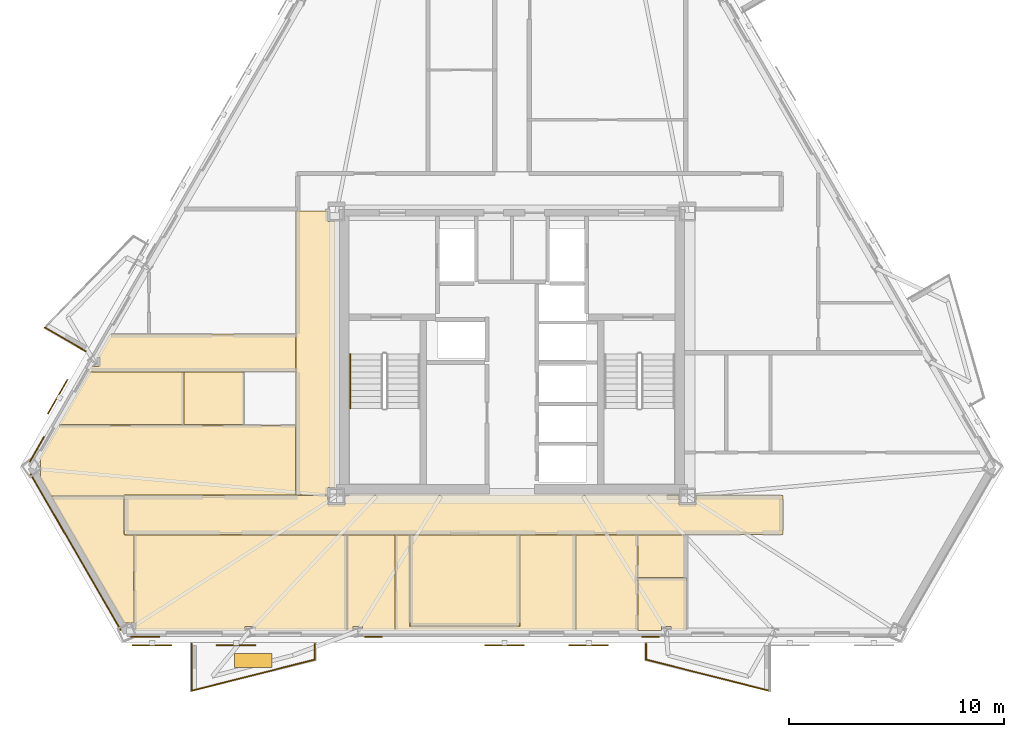
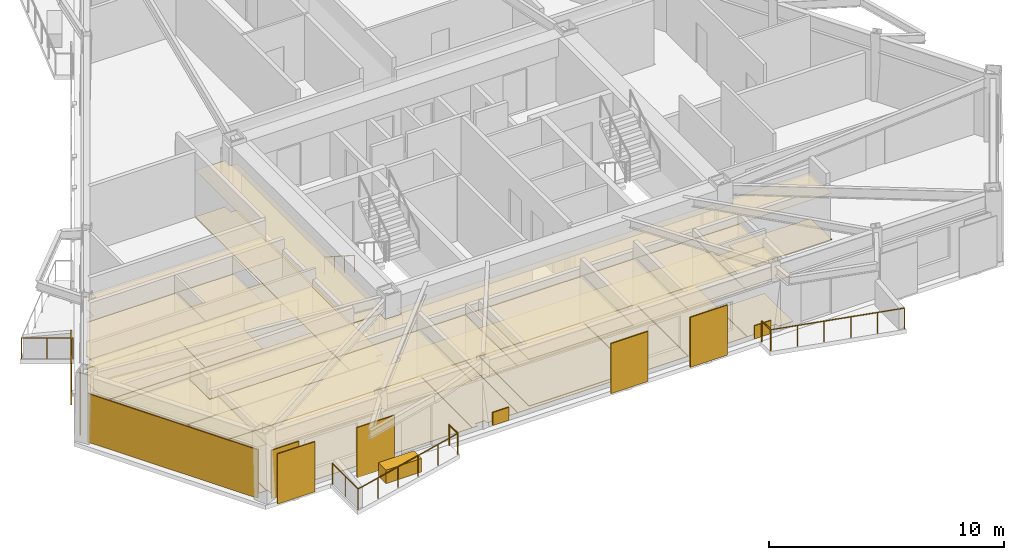
# One storey, part 7 of 9: 33 coverings, 7 railings, 5 shading devices.
"""IFC4 building model written with IfcOpenShell, lengths in metres."""

from ifc_helpers import new_model, si_unit, direction, frame, origin, origin_2d, place, context, subcontext, project, spatial, polyline, rectangle, circle, outline, extrude, material, layer, layer_set, type_object, element, save


model = new_model("IFC4")

# Units and contexts
model_context = context("Model", 3, precision=1e-05, world=origin(), true_north=direction((0.0, 1.0)))
body_context = subcontext(model_context, "Body", "Model", "MODEL_VIEW")
ifc_project = project(units=[si_unit("LENGTHUNIT", "METRE"), si_unit("AREAUNIT", "SQUARE_METRE"), si_unit("VOLUMEUNIT", "CUBIC_METRE"), si_unit("PLANEANGLEUNIT", "RADIAN"), si_unit("MASSUNIT", "GRAM", prefix="KILO")], contexts=[model_context])

# Site, building, storey
site_placement = place(None, origin())
site = spatial("IfcSite", under=ifc_project, at=site_placement, CompositionType="ELEMENT")
building_placement = place(site_placement, origin())
building = spatial("IfcBuilding", under=site, at=building_placement, Name="Oramaril Tower", CompositionType="ELEMENT")
storey_placement = place(building_placement, frame((0.0, 0.0, 163.800048828125)))
storey = spatial("IfcBuildingStorey", under=building, at=storey_placement, Name="L43", CompositionType="ELEMENT", Elevation=163.800048828125)

# Coverings
ifc_material_1 = material(Name="Mineral Fibre Acoustic Ceiling")
ifc_layer_1 = layer(ifc_material_1, 0.02001953125)
ifc_layer_set_1 = layer_set([ifc_layer_1], Name="CVT-CEIL")
covering_type_1 = type_object("IfcCoveringType", Name="CVT-CEIL", PredefinedType="CEILING", material=ifc_layer_set_1)
covering_1_placement = place(storey_placement, frame((0.0, 0.0, 2.411865234375)))
element("IfcCovering", 1, at=covering_1_placement, inside=storey, type_object=covering_type_1, Name="L43 Acoustic Suspended Ceiling 1", PredefinedType="CEILING", context=body_context, shape_type="SweptSolid", body=[
    extrude(outline(polyline([(28.955078125, 10.60498046875), (29.7451171875, 10.60498046875), (29.7451171875, 11.030029296875), (45.2548828125, 11.030029296875), (45.2548828125, 10.60498046875), (46.044921875, 10.60498046875), (46.044921875, 11.030029296875), (50.080078125, 11.030029296875), (50.080078125, 9.219970703125), (19.52001953125, 9.219970703125), (19.52001953125, 11.030029296875), (28.955078125, 11.030029296875), (28.955078125, 10.60498046875)])), origin(), (0.0, 0.0, 1.0), 0.02001953125),
])
covering_2_placement = place(storey_placement, frame((0.0, 0.0, 2.411865234375)))
element("IfcCovering", 2, at=covering_2_placement, inside=storey, type_object=covering_type_1, Name="L43 Acoustic Suspended Ceiling 3", PredefinedType="CEILING", context=body_context, shape_type="SweptSolid", body=[
    extrude(outline(polyline([(28.955078125, 23.7548828125), (29.280029296875, 23.7548828125), (29.280029296875, 11.39501953125), (28.955078125, 11.39501953125), (28.955078125, 11.050048828125), (27.469970703125, 11.050048828125), (27.469970703125, 24.219970703125), (28.955078125, 24.219970703125), (28.955078125, 23.7548828125)])), origin(), (0.0, 0.0, 1.0), 0.02001953125),
])
covering_3_placement = place(storey_placement, frame((0.0, 0.0, 2.411865234375)))
element("IfcCovering", 3, at=covering_3_placement, inside=storey, type_object=covering_type_1, Name="L43 Acoustic Suspended Ceiling 5", PredefinedType="CEILING", context=body_context, shape_type="SweptSolid", body=[
    extrude(outline(polyline([(17.831787109375, 16.77001953125), (17.976318359375, 17.020263671875), (18.327880859375, 17.020263671875), (18.327880859375, 17.515380859375), (18.262451171875, 17.515380859375), (18.84814453125, 18.530029296875), (27.449951171875, 18.530029296875), (27.449951171875, 16.77001953125), (17.831787109375, 16.77001953125)])), origin(), (0.0, 0.0, 1.0), 0.02001953125),
])
covering_4_placement = place(storey_placement, frame((0.0, 0.0, 2.411865234375)))
element("IfcCovering", 4, at=covering_4_placement, inside=storey, type_object=covering_type_1, Name="L43 Acoustic Suspended Ceiling 6", PredefinedType="CEILING", context=body_context, shape_type="SweptSolid", body=[
    extrude(outline(polyline([(32.758056640625, 4.9580078125), (32.758056640625, 9.199951171875), (37.842041015625, 9.199951171875), (37.842041015625, 4.9580078125), (32.758056640625, 4.9580078125)])), origin(), (0.0, 0.0, 1.0), 0.02001953125),
])
covering_5_placement = place(storey_placement, frame((0.0, 0.0, 2.411865234375)))
element("IfcCovering", 5, at=covering_5_placement, inside=storey, type_object=covering_type_1, Name="L43 Acoustic Suspended Ceiling 7", PredefinedType="CEILING", context=body_context, shape_type="SweptSolid", body=[
    extrude(outline(polyline([(25.568603515625, 4.9560546875), (25.107666015625, 4.9560546875), (25.107666015625, 4.77001953125), (20.0009765625, 4.77001953125), (20.0009765625, 5.106689453125), (19.947265625, 5.106689453125), (19.947265625, 9.199951171875), (29.842041015625, 9.199951171875), (29.842041015625, 4.77001953125), (25.568603515625, 4.77001953125), (25.568603515625, 4.9560546875)])), origin(), (0.0, 0.0, 1.0), 0.02001953125),
])
covering_6_placement = place(storey_placement, frame((0.0, 0.0, 2.411865234375)))
element("IfcCovering", 6, at=covering_6_placement, inside=storey, type_object=covering_type_1, Name="L43 Acoustic Suspended Ceiling 8", PredefinedType="CEILING", context=body_context, shape_type="SweptSolid", body=[
    extrude(outline(polyline([(19.4990234375, 5.106689453125), (16.10107421875, 10.991943359375), (19.5, 10.991943359375), (19.5, 9.219970703125), (19.5, 9.218017578125), (19.50048828125, 9.216064453125), (19.5009765625, 9.214111328125), (19.50146484375, 9.21240234375), (19.50244140625, 9.210693359375), (19.50341796875, 9.208984375), (19.50439453125, 9.207275390625), (19.505859375, 9.205810546875), (19.50732421875, 9.20458984375), (19.5087890625, 9.203369140625), (19.510498046875, 9.202392578125), (19.51220703125, 9.201416015625), (19.51416015625, 9.200927734375), (19.51611328125, 9.200439453125), (19.51806640625, 9.2001953125), (19.52001953125, 9.199951171875), (19.92724609375, 9.199951171875), (19.92724609375, 5.106689453125), (19.4990234375, 5.106689453125)])), origin(), (0.0, 0.0, 1.0), 0.02001953125),
])
covering_7_placement = place(storey_placement, frame((0.0, 0.0, 2.411865234375)))
element("IfcCovering", 7, at=covering_7_placement, inside=storey, type_object=covering_type_1, Name="L43 Acoustic Suspended Ceiling 9", PredefinedType="CEILING", context=body_context, shape_type="SweptSolid", body=[
    extrude(outline(polyline([(40.44189453125, 4.77001953125), (32.090087890625, 4.77001953125), (32.090087890625, 9.199951171875), (32.738037109375, 9.199951171875), (32.738037109375, 4.9580078125), (32.738037109375, 4.9560546875), (32.73828125, 4.9541015625), (32.739013671875, 4.9521484375), (32.739501953125, 4.9501953125), (32.740478515625, 4.948486328125), (32.741455078125, 4.947021484375), (32.742431640625, 4.9453125), (32.743896484375, 4.94384765625), (32.745361328125, 4.9423828125), (32.746826171875, 4.94140625), (32.74853515625, 4.9404296875), (32.750244140625, 4.939453125), (32.752197265625, 4.93896484375), (32.754150390625, 4.9384765625), (32.756103515625, 4.93798828125), (32.758056640625, 4.93798828125), (37.842041015625, 4.93798828125), (37.843994140625, 4.93798828125), (37.845947265625, 4.9384765625), (37.847900390625, 4.93896484375), (37.849609375, 4.939453125), (37.851318359375, 4.9404296875), (37.85302734375, 4.94140625), (37.854736328125, 4.9423828125), (37.856201171875, 4.94384765625), (37.857421875, 4.9453125), (37.858642578125, 4.947021484375), (37.859619140625, 4.948486328125), (37.860595703125, 4.9501953125), (37.861083984375, 4.9521484375), (37.861572265625, 4.9541015625), (37.86181640625, 4.9560546875), (37.862060546875, 4.9580078125), (37.862060546875, 9.199951171875), (40.44189453125, 9.199951171875), (40.44189453125, 4.77001953125)])), origin(), (0.0, 0.0, 1.0), 0.02001953125),
])
covering_8_placement = place(storey_placement, frame((0.0, 0.0, 2.411865234375)))
element("IfcCovering", 8, at=covering_8_placement, inside=storey, type_object=covering_type_1, Name="L43 Acoustic Suspended Ceiling 10", PredefinedType="CEILING", context=body_context, shape_type="SweptSolid", body=[
    extrude(outline(polyline([(30.572021484375, 4.77001953125), (30.572021484375, 4.9560546875), (30.1201171875, 4.9560546875), (30.1201171875, 4.77001953125), (29.862060546875, 4.77001953125), (29.862060546875, 9.199951171875), (32.070068359375, 9.199951171875), (32.070068359375, 4.77001953125), (30.572021484375, 4.77001953125)])), origin(), (0.0, 0.0, 1.0), 0.02001953125),
])
covering_9_placement = place(storey_placement, frame((0.0, 0.0, 2.411865234375)))
element("IfcCovering", 9, at=covering_9_placement, inside=storey, type_object=covering_type_1, Name="L43 Acoustic Suspended Ceiling 11", PredefinedType="CEILING", context=body_context, shape_type="SweptSolid", body=[
    extrude(outline(polyline([(43.33154296875, 4.77001953125), (40.4619140625, 4.77001953125), (40.4619140625, 9.199951171875), (43.33154296875, 9.199951171875), (43.33154296875, 4.77001953125)])), origin(), (0.0, 0.0, 1.0), 0.02001953125),
])
covering_10_placement = place(storey_placement, frame((0.0, 0.0, 2.411865234375)))
element("IfcCovering", 10, at=covering_10_placement, inside=storey, type_object=covering_type_1, Name="L43 Acoustic Suspended Ceiling 12", PredefinedType="CEILING", context=body_context, shape_type="SweptSolid", body=[
    extrude(outline(polyline([(44.8798828125, 4.9560546875), (44.427978515625, 4.9560546875), (44.427978515625, 4.77001953125), (43.3515625, 4.77001953125), (43.3515625, 7.18896484375), (45.60205078125, 7.18896484375), (45.60205078125, 4.77001953125), (44.8798828125, 4.77001953125), (44.8798828125, 4.9560546875)])), origin(), (0.0, 0.0, 1.0), 0.02001953125),
])
covering_11_placement = place(storey_placement, frame((0.0, 0.0, 2.411865234375)))
element("IfcCovering", 11, at=covering_11_placement, inside=storey, type_object=covering_type_1, Name="L43 Acoustic Suspended Ceiling 13", PredefinedType="CEILING", context=body_context, shape_type="SweptSolid", body=[
    extrude(outline(polyline([(45.60205078125, 7.208984375), (43.3515625, 7.208984375), (43.3515625, 9.199951171875), (45.60205078125, 9.199951171875), (45.60205078125, 7.208984375)])), origin(), (0.0, 0.0, 1.0), 0.02001953125),
])
covering_12_placement = place(storey_placement, frame((0.0, 0.0, 2.411865234375)))
element("IfcCovering", 12, at=covering_12_placement, inside=storey, type_object=covering_type_1, Name="L43 Acoustic Suspended Ceiling 14", PredefinedType="CEILING", context=body_context, shape_type="SweptSolid", body=[
    extrude(outline(polyline([(15.57177734375, 11.90869140625), (15.6142578125, 11.90869140625), (15.6142578125, 12.714111328125), (15.5341796875, 12.714111328125), (16.447509765625, 14.2958984375), (27.449951171875, 14.2958984375), (27.449951171875, 11.050048828125), (19.52001953125, 11.050048828125), (19.51806640625, 11.0498046875), (19.51611328125, 11.049560546875), (19.51416015625, 11.049072265625), (19.51220703125, 11.048583984375), (19.510498046875, 11.047607421875), (19.5087890625, 11.046630859375), (19.50732421875, 11.04541015625), (19.505859375, 11.044189453125), (19.50439453125, 11.042724609375), (19.50341796875, 11.041015625), (19.50244140625, 11.039306640625), (19.50146484375, 11.03759765625), (19.5009765625, 11.035888671875), (19.50048828125, 11.033935546875), (19.5, 11.031982421875), (19.5, 11.030029296875), (19.5, 11.011962890625), (16.10107421875, 11.011962890625), (16.09912109375, 11.011962890625), (16.09716796875, 11.01171875), (16.09521484375, 11.010986328125), (16.09326171875, 11.010498046875), (16.091552734375, 11.009521484375), (16.091064453125, 11.00927734375), (15.57177734375, 11.90869140625)])), origin(), (0.0, 0.0, 1.0), 0.02001953125),
])
covering_13_placement = place(storey_placement, frame((0.0, 0.0, 2.411865234375)))
element("IfcCovering", 13, at=covering_13_placement, inside=storey, type_object=covering_type_1, Name="L43 Acoustic Suspended Ceiling 15", PredefinedType="CEILING", context=body_context, shape_type="SweptSolid", body=[
    extrude(outline(polyline([(17.8642578125, 16.75), (22.247314453125, 16.75), (22.247314453125, 14.31591796875), (16.458984375, 14.31591796875), (17.8642578125, 16.75)])), origin(), (0.0, 0.0, 1.0), 0.02001953125),
])
covering_14_placement = place(storey_placement, frame((0.0, 0.0, 2.411865234375)))
element("IfcCovering", 14, at=covering_14_placement, inside=storey, type_object=covering_type_1, Name="L43 Acoustic Suspended Ceiling 16", PredefinedType="CEILING", context=body_context, shape_type="SweptSolid", body=[
    extrude(outline(polyline([(25.072021484375, 14.31591796875), (22.267333984375, 14.31591796875), (22.267333984375, 16.75), (25.072021484375, 16.75), (25.072021484375, 14.31591796875)])), origin(), (0.0, 0.0, 1.0), 0.02001953125),
])
ifc_material_2 = material(Name="Warm Cream Limestone", Category="masonry")
ifc_layer_2 = layer(ifc_material_2, 0.050048828125)
ifc_layer_set_2 = layer_set([ifc_layer_2], Name="CVT-CLD")
covering_type_2 = type_object("IfcCoveringType", Name="CVT-CLD", PredefinedType="CLADDING", material=ifc_layer_set_2)
covering_15_placement = place(storey_placement, frame((17.246337890625, 8.406494140625, 0.0400390625), z_axis=(0.0, 0.0, 1.0), x_axis=(0.5, -0.866025403784, 0.0)))
element("IfcCovering", 15, at=covering_15_placement, inside=storey, type_object=covering_type_2, Name="L43 Warm Cream Limestone Cladding", PredefinedType="CLADDING", context=body_context, shape_type="SweptSolid", body=[
    extrude(rectangle(XDim=8.370361328125, YDim=0.050048828125, at=origin_2d()), origin(), (0.0, 0.0, 1.0), 2.52001953125),
])
covering_16_placement = place(storey_placement, frame((20.48095703125, 4.468994140625, 0.0400390625), z_axis=(0.0, 0.0, 1.0), x_axis=(1.0, 0.0, 0.0)))
element("IfcCovering", 16, at=covering_16_placement, inside=storey, type_object=covering_type_2, Name="L43 Warm Cream Limestone Cladding", PredefinedType="CLADDING", context=body_context, shape_type="SweptSolid", body=[
    extrude(rectangle(XDim=1.35009765625, YDim=0.050048828125, at=origin_2d()), origin(), (0.0, 0.0, 1.0), 2.52001953125),
])
for number, where, z_axis, x_axis, name in (
    (17, (31.067138671875, 4.468994140625, 0.0400390625), (0.0, 0.0, 1.0), (1.0, 0.0, 0.0), "L43 Warm Cream Limestone Spandrel Cladding"),
    (18, (43.932861328125, 4.468994140625, 0.0400390625), (0.0, 0.0, 1.0), (1.0, 0.0, 0.0), "L43 Warm Cream Limestone Spandrel Cladding"),
):
    element("IfcCovering", number, at=place(storey_placement, frame(where, z_axis=z_axis, x_axis=x_axis)), inside=storey, type_object=covering_type_2, Name=name, PredefinedType="CLADDING", context=body_context, shape_type="SweptSolid", body=[
        extrude(rectangle(XDim=0.800048828125, YDim=0.050048828125, at=origin_2d()), origin(), (0.0, 0.0, 1.0), 0.679931640625),
    ])
covering_17_placement = place(storey_placement, frame((15.45361328125, 13.176513671875, 0.0400390625), z_axis=(0.0, 0.0, 1.0), x_axis=(-0.5, -0.866025403784, 0.0)))
element("IfcCovering", 19, at=covering_17_placement, inside=storey, type_object=covering_type_2, Name="L43 Warm Cream Limestone Cladding", PredefinedType="CLADDING", context=body_context, shape_type="SweptSolid", body=[
    extrude(rectangle(XDim=1.35009765625, YDim=0.050048828125, at=origin_2d()), origin(), (0.0, 0.0, 1.0), 2.52001953125),
])
covering_18_placement = place(storey_placement, frame((25.490478515625, 3.365478515625, 0.0), z_axis=(0.0, 0.0, 1.0), x_axis=(1.0, 0.0, 0.0)))
element("IfcCovering", 20, at=covering_18_placement, inside=storey, type_object=covering_type_2, Name="L43 Structural Tree Planter Box L43-BAL-S1", PredefinedType="CLADDING", context=body_context, shape_type="SweptSolid", body=[
    extrude(rectangle(XDim=1.75, YDim=0.64990234375, at=origin_2d()), origin(), (0.0, 0.0, 1.0), 0.699951171875),
])
ifc_material_3 = material(Name="Honed Quartzite Stone Flooring", Category="masonry")
ifc_layer_3 = layer(ifc_material_3, 0.02490234375)
ifc_layer_set_3 = layer_set([ifc_layer_3], Name="CVT-FLR")
covering_type_3 = type_object("IfcCoveringType", Name="CVT-FLR", PredefinedType="FLOORING", material=ifc_layer_set_3)
covering_19_placement = place(storey_placement, origin())
element("IfcCovering", 21, at=covering_19_placement, inside=storey, type_object=covering_type_3, Name="L43 Honed Stone Floor Finish 1", PredefinedType="FLOORING", context=body_context, shape_type="SweptSolid", body=[
    extrude(outline(polyline([(28.955078125, 10.60498046875), (29.7451171875, 10.60498046875), (29.7451171875, 11.030029296875), (45.2548828125, 11.030029296875), (45.2548828125, 10.60498046875), (46.044921875, 10.60498046875), (46.044921875, 11.030029296875), (50.080078125, 11.030029296875), (50.080078125, 9.219970703125), (19.52001953125, 9.219970703125), (19.52001953125, 11.030029296875), (28.955078125, 11.030029296875), (28.955078125, 10.60498046875)])), origin(), (0.0, 0.0, 1.0), 0.02490234375),
])
covering_20_placement = place(storey_placement, origin())
element("IfcCovering", 22, at=covering_20_placement, inside=storey, type_object=covering_type_3, Name="L43 Honed Stone Floor Finish 3", PredefinedType="FLOORING", context=body_context, shape_type="SweptSolid", body=[
    extrude(outline(polyline([(28.955078125, 23.7548828125), (29.280029296875, 23.7548828125), (29.280029296875, 11.39501953125), (28.955078125, 11.39501953125), (28.955078125, 11.050048828125), (27.469970703125, 11.050048828125), (27.469970703125, 24.219970703125), (28.955078125, 24.219970703125), (28.955078125, 23.7548828125)])), origin(), (0.0, 0.0, 1.0), 0.02490234375),
])
covering_21_placement = place(storey_placement, origin())
element("IfcCovering", 23, at=covering_21_placement, inside=storey, type_object=covering_type_3, Name="L43 Honed Stone Floor Finish 5", PredefinedType="FLOORING", context=body_context, shape_type="SweptSolid", body=[
    extrude(outline(polyline([(17.831787109375, 16.77001953125), (17.976318359375, 17.020263671875), (18.327880859375, 17.020263671875), (18.327880859375, 17.515380859375), (18.262451171875, 17.515380859375), (18.84814453125, 18.530029296875), (27.449951171875, 18.530029296875), (27.449951171875, 16.77001953125), (17.831787109375, 16.77001953125)])), origin(), (0.0, 0.0, 1.0), 0.02490234375),
])
covering_22_placement = place(storey_placement, origin())
element("IfcCovering", 24, at=covering_22_placement, inside=storey, type_object=covering_type_3, Name="L43 Honed Stone Floor Finish 6", PredefinedType="FLOORING", context=body_context, shape_type="SweptSolid", body=[
    extrude(outline(polyline([(32.758056640625, 4.9580078125), (32.758056640625, 9.199951171875), (37.842041015625, 9.199951171875), (37.842041015625, 4.9580078125), (32.758056640625, 4.9580078125)])), origin(), (0.0, 0.0, 1.0), 0.02490234375),
])
covering_23_placement = place(storey_placement, origin())
element("IfcCovering", 25, at=covering_23_placement, inside=storey, type_object=covering_type_3, Name="L43 Honed Stone Floor Finish 7", PredefinedType="FLOORING", context=body_context, shape_type="SweptSolid", body=[
    extrude(outline(polyline([(25.568603515625, 4.9560546875), (25.107666015625, 4.9560546875), (25.107666015625, 4.77001953125), (20.0009765625, 4.77001953125), (20.0009765625, 5.106689453125), (19.947265625, 5.106689453125), (19.947265625, 9.199951171875), (29.842041015625, 9.199951171875), (29.842041015625, 4.77001953125), (25.568603515625, 4.77001953125), (25.568603515625, 4.9560546875)])), origin(), (0.0, 0.0, 1.0), 0.02490234375),
])
covering_24_placement = place(storey_placement, origin())
element("IfcCovering", 26, at=covering_24_placement, inside=storey, type_object=covering_type_3, Name="L43 Honed Stone Floor Finish 8", PredefinedType="FLOORING", context=body_context, shape_type="SweptSolid", body=[
    extrude(outline(polyline([(19.4990234375, 5.106689453125), (16.10107421875, 10.991943359375), (19.5, 10.991943359375), (19.5, 9.219970703125), (19.5, 9.218017578125), (19.50048828125, 9.216064453125), (19.5009765625, 9.214111328125), (19.50146484375, 9.21240234375), (19.50244140625, 9.210693359375), (19.50341796875, 9.208984375), (19.50439453125, 9.207275390625), (19.505859375, 9.205810546875), (19.50732421875, 9.20458984375), (19.5087890625, 9.203369140625), (19.510498046875, 9.202392578125), (19.51220703125, 9.201416015625), (19.51416015625, 9.200927734375), (19.51611328125, 9.200439453125), (19.51806640625, 9.2001953125), (19.52001953125, 9.199951171875), (19.92724609375, 9.199951171875), (19.92724609375, 5.106689453125), (19.4990234375, 5.106689453125)])), origin(), (0.0, 0.0, 1.0), 0.02490234375),
])
covering_25_placement = place(storey_placement, origin())
element("IfcCovering", 27, at=covering_25_placement, inside=storey, type_object=covering_type_3, Name="L43 Honed Stone Floor Finish 9", PredefinedType="FLOORING", context=body_context, shape_type="SweptSolid", body=[
    extrude(outline(polyline([(40.44189453125, 4.77001953125), (32.090087890625, 4.77001953125), (32.090087890625, 9.199951171875), (32.738037109375, 9.199951171875), (32.738037109375, 4.9580078125), (32.738037109375, 4.9560546875), (32.73828125, 4.9541015625), (32.739013671875, 4.9521484375), (32.739501953125, 4.9501953125), (32.740478515625, 4.948486328125), (32.741455078125, 4.947021484375), (32.742431640625, 4.9453125), (32.743896484375, 4.94384765625), (32.745361328125, 4.9423828125), (32.746826171875, 4.94140625), (32.74853515625, 4.9404296875), (32.750244140625, 4.939453125), (32.752197265625, 4.93896484375), (32.754150390625, 4.9384765625), (32.756103515625, 4.93798828125), (32.758056640625, 4.93798828125), (37.842041015625, 4.93798828125), (37.843994140625, 4.93798828125), (37.845947265625, 4.9384765625), (37.847900390625, 4.93896484375), (37.849609375, 4.939453125), (37.851318359375, 4.9404296875), (37.85302734375, 4.94140625), (37.854736328125, 4.9423828125), (37.856201171875, 4.94384765625), (37.857421875, 4.9453125), (37.858642578125, 4.947021484375), (37.859619140625, 4.948486328125), (37.860595703125, 4.9501953125), (37.861083984375, 4.9521484375), (37.861572265625, 4.9541015625), (37.86181640625, 4.9560546875), (37.862060546875, 4.9580078125), (37.862060546875, 9.199951171875), (40.44189453125, 9.199951171875), (40.44189453125, 4.77001953125)])), origin(), (0.0, 0.0, 1.0), 0.02490234375),
])
covering_26_placement = place(storey_placement, origin())
element("IfcCovering", 28, at=covering_26_placement, inside=storey, type_object=covering_type_3, Name="L43 Honed Stone Floor Finish 10", PredefinedType="FLOORING", context=body_context, shape_type="SweptSolid", body=[
    extrude(outline(polyline([(30.572021484375, 4.77001953125), (30.572021484375, 4.9560546875), (30.1201171875, 4.9560546875), (30.1201171875, 4.77001953125), (29.862060546875, 4.77001953125), (29.862060546875, 9.199951171875), (32.070068359375, 9.199951171875), (32.070068359375, 4.77001953125), (30.572021484375, 4.77001953125)])), origin(), (0.0, 0.0, 1.0), 0.02490234375),
])
covering_27_placement = place(storey_placement, origin())
element("IfcCovering", 29, at=covering_27_placement, inside=storey, type_object=covering_type_3, Name="L43 Honed Stone Floor Finish 11", PredefinedType="FLOORING", context=body_context, shape_type="SweptSolid", body=[
    extrude(outline(polyline([(43.33154296875, 4.77001953125), (40.4619140625, 4.77001953125), (40.4619140625, 9.199951171875), (43.33154296875, 9.199951171875), (43.33154296875, 4.77001953125)])), origin(), (0.0, 0.0, 1.0), 0.02490234375),
])
covering_28_placement = place(storey_placement, origin())
element("IfcCovering", 30, at=covering_28_placement, inside=storey, type_object=covering_type_3, Name="L43 Honed Stone Floor Finish 12", PredefinedType="FLOORING", context=body_context, shape_type="SweptSolid", body=[
    extrude(outline(polyline([(44.8798828125, 4.9560546875), (44.427978515625, 4.9560546875), (44.427978515625, 4.77001953125), (43.3515625, 4.77001953125), (43.3515625, 7.18896484375), (45.60205078125, 7.18896484375), (45.60205078125, 4.77001953125), (44.8798828125, 4.77001953125), (44.8798828125, 4.9560546875)])), origin(), (0.0, 0.0, 1.0), 0.02490234375),
])
covering_29_placement = place(storey_placement, origin())
element("IfcCovering", 31, at=covering_29_placement, inside=storey, type_object=covering_type_3, Name="L43 Honed Stone Floor Finish 14", PredefinedType="FLOORING", context=body_context, shape_type="SweptSolid", body=[
    extrude(outline(polyline([(15.57177734375, 11.90869140625), (15.6142578125, 11.90869140625), (15.6142578125, 12.714111328125), (15.5341796875, 12.714111328125), (16.447509765625, 14.2958984375), (27.449951171875, 14.2958984375), (27.449951171875, 11.050048828125), (19.52001953125, 11.050048828125), (19.51806640625, 11.0498046875), (19.51611328125, 11.049560546875), (19.51416015625, 11.049072265625), (19.51220703125, 11.048583984375), (19.510498046875, 11.047607421875), (19.5087890625, 11.046630859375), (19.50732421875, 11.04541015625), (19.505859375, 11.044189453125), (19.50439453125, 11.042724609375), (19.50341796875, 11.041015625), (19.50244140625, 11.039306640625), (19.50146484375, 11.03759765625), (19.5009765625, 11.035888671875), (19.50048828125, 11.033935546875), (19.5, 11.031982421875), (19.5, 11.030029296875), (19.5, 11.011962890625), (16.10107421875, 11.011962890625), (16.09912109375, 11.011962890625), (16.09716796875, 11.01171875), (16.09521484375, 11.010986328125), (16.09326171875, 11.010498046875), (16.091552734375, 11.009521484375), (16.091064453125, 11.00927734375), (15.57177734375, 11.90869140625)])), origin(), (0.0, 0.0, 1.0), 0.02490234375),
])
covering_30_placement = place(storey_placement, origin())
element("IfcCovering", 32, at=covering_30_placement, inside=storey, type_object=covering_type_3, Name="L43 Honed Stone Floor Finish 15", PredefinedType="FLOORING", context=body_context, shape_type="SweptSolid", body=[
    extrude(outline(polyline([(17.8642578125, 16.75), (22.247314453125, 16.75), (22.247314453125, 14.31591796875), (16.458984375, 14.31591796875), (17.8642578125, 16.75)])), origin(), (0.0, 0.0, 1.0), 0.02490234375),
])
covering_31_placement = place(storey_placement, origin())
element("IfcCovering", 33, at=covering_31_placement, inside=storey, type_object=covering_type_3, Name="L43 Honed Stone Floor Finish 16", PredefinedType="FLOORING", context=body_context, shape_type="SweptSolid", body=[
    extrude(outline(polyline([(25.072021484375, 14.31591796875), (22.267333984375, 14.31591796875), (22.267333984375, 16.75), (25.072021484375, 16.75), (25.072021484375, 14.31591796875)])), origin(), (0.0, 0.0, 1.0), 0.02490234375),
])

# Railings
ifc_material_4 = material(Name="Stainless Steel 316L", Category="steel")
railing_type_1 = type_object("IfcRailingType", Name="RLT-GRD", PredefinedType="GUARDRAIL", material=ifc_material_4)
railing_1_placement = place(storey_placement, frame((28.35546875, 4.154052734375, 0.0)))
element("IfcRailing", 34, at=railing_1_placement, inside=storey, type_object=railing_type_1, Name="L43 Balcony Guardrail L43-BAL-S1.1", PredefinedType="GUARDRAIL", context=body_context, shape_type="SweptSolid", body=[
    extrude(circle(Radius=0.02392578125, at=origin_2d()), frame((0.0, 0.0, 1.076171875), z_axis=(0.0, -1.0, 0.0), x_axis=(1.0, 0.0, 0.0)), (0.0, 0.0, 1.0), 0.741943359375),
    extrude(circle(Radius=0.02099609375, at=origin_2d()), origin(), (0.0, 0.0, 1.0), 1.052001953125),
    extrude(circle(Radius=0.02099609375, at=origin_2d()), frame((0.0, -0.741943359375, 0.0)), (0.0, 0.0, 1.0), 1.052001953125),
])
railing_2_placement = place(storey_placement, frame((28.35546875, 3.412109375, 0.0)))
element("IfcRailing", 35, at=railing_2_placement, inside=storey, type_object=railing_type_1, Name="L43 Balcony Guardrail L43-BAL-S1.2", PredefinedType="GUARDRAIL", context=body_context, shape_type="SweptSolid", body=[
    extrude(circle(Radius=0.02392578125, at=origin_2d()), frame((0.0, 0.0, 1.076171875), z_axis=(-0.969433787338, -0.245353076131, 0.0), x_axis=(0.245353076131, -0.969433787338, 0.0)), (0.0, 0.0, 1.0), 5.91064453125),
    extrude(circle(Radius=0.02099609375, at=origin_2d()), origin(), (0.0, 0.0, 1.0), 1.052001953125),
    extrude(circle(Radius=0.02099609375, at=origin_2d()), frame((-1.14599609375, -0.2900390625, 0.0)), (0.0, 0.0, 1.0), 1.052001953125),
    extrude(circle(Radius=0.02099609375, at=origin_2d()), frame((-2.2919921875, -0.580078125, 0.0)), (0.0, 0.0, 1.0), 1.052001953125),
    extrude(circle(Radius=0.02099609375, at=origin_2d()), frame((-3.43798828125, -0.8701171875, 0.0)), (0.0, 0.0, 1.0), 1.052001953125),
    extrude(circle(Radius=0.02099609375, at=origin_2d()), frame((-4.583984375, -1.16015625, 0.0)), (0.0, 0.0, 1.0), 1.052001953125),
    extrude(circle(Radius=0.02099609375, at=origin_2d()), frame((-5.72998046875, -1.4501953125, 0.0)), (0.0, 0.0, 1.0), 1.052001953125),
])
railing_3_placement = place(storey_placement, frame((22.62548828125, 1.9619140625, 0.0)))
element("IfcRailing", 36, at=railing_3_placement, inside=storey, type_object=railing_type_1, Name="L43 Balcony Guardrail L43-BAL-S1.3", PredefinedType="GUARDRAIL", context=body_context, shape_type="SweptSolid", body=[
    extrude(circle(Radius=0.02392578125, at=origin_2d()), frame((0.0, 0.0, 1.076171875), z_axis=(0.0, 1.0, 0.0), x_axis=(-1.0, 0.0, 0.0)), (0.0, 0.0, 1.0), 2.192138671875),
    extrude(circle(Radius=0.02099609375, at=origin_2d()), origin(), (0.0, 0.0, 1.0), 1.052001953125),
    extrude(circle(Radius=0.02099609375, at=origin_2d()), frame((0.0, 1.09619140625, 0.0)), (0.0, 0.0, 1.0), 1.052001953125),
    extrude(circle(Radius=0.02099609375, at=origin_2d()), frame((0.0, 2.192138671875, 0.0)), (0.0, 0.0, 1.0), 1.052001953125),
])
railing_4_placement = place(storey_placement, frame((49.44970703125, 1.9619140625, 0.0)))
element("IfcRailing", 37, at=railing_4_placement, inside=storey, type_object=railing_type_1, Name="L43 Balcony Guardrail L43-BAL-S2.2", PredefinedType="GUARDRAIL", context=body_context, shape_type="SweptSolid", body=[
    extrude(circle(Radius=0.02392578125, at=origin_2d()), frame((0.0, 0.0, 1.076171875), z_axis=(-0.969436273687, 0.245343251915, 0.0), x_axis=(-0.245343251915, -0.969436273687, 0.0)), (0.0, 0.0, 1.0), 5.910888671875),
    extrude(circle(Radius=0.02099609375, at=origin_2d()), origin(), (0.0, 0.0, 1.0), 1.052001953125),
    extrude(circle(Radius=0.02099609375, at=origin_2d()), frame((-1.14599609375, 0.2900390625, 0.0)), (0.0, 0.0, 1.0), 1.052001953125),
    extrude(circle(Radius=0.02099609375, at=origin_2d()), frame((-2.2919921875, 0.580078125, 0.0)), (0.0, 0.0, 1.0), 1.052001953125),
    extrude(circle(Radius=0.02099609375, at=origin_2d()), frame((-3.438232421875, 0.8701171875, 0.0)), (0.0, 0.0, 1.0), 1.052001953125),
    extrude(circle(Radius=0.02099609375, at=origin_2d()), frame((-4.584228515625, 1.16015625, 0.0)), (0.0, 0.0, 1.0), 1.052001953125),
    extrude(circle(Radius=0.02099609375, at=origin_2d()), frame((-5.730224609375, 1.4501953125, 0.0)), (0.0, 0.0, 1.0), 1.052001953125),
])
railing_5_placement = place(storey_placement, frame((43.719482421875, 3.412109375, 0.0)))
element("IfcRailing", 38, at=railing_5_placement, inside=storey, type_object=railing_type_1, Name="L43 Balcony Guardrail L43-BAL-S2.3", PredefinedType="GUARDRAIL", context=body_context, shape_type="SweptSolid", body=[
    extrude(circle(Radius=0.02392578125, at=origin_2d()), frame((0.0, 0.0, 1.076171875), z_axis=(0.0, 1.0, 0.0), x_axis=(-1.0, 0.0, 0.0)), (0.0, 0.0, 1.0), 0.741943359375),
    extrude(circle(Radius=0.02099609375, at=origin_2d()), origin(), (0.0, 0.0, 1.0), 1.052001953125),
    extrude(circle(Radius=0.02099609375, at=origin_2d()), frame((0.0, 0.741943359375, 0.0)), (0.0, 0.0, 1.0), 1.052001953125),
])
railing_6_placement = place(storey_placement, frame((17.715576171875, 17.724365234375, 0.0)))
element("IfcRailing", 39, at=railing_6_placement, inside=storey, type_object=railing_type_1, Name="L43 Balcony Guardrail L43-BAL-NW2.1", PredefinedType="GUARDRAIL", context=body_context, shape_type="SweptSolid", body=[
    extrude(circle(Radius=0.02392578125, at=origin_2d()), frame((0.0, 0.0, 1.076171875), z_axis=(-0.866048343933, 0.499960264392, 0.0), x_axis=(-0.499960264392, -0.866048343933, 0.0)), (0.0, 0.0, 1.0), 2.192138671875),
    extrude(circle(Radius=0.02099609375, at=origin_2d()), origin(), (0.0, 0.0, 1.0), 1.052001953125),
    extrude(circle(Radius=0.02099609375, at=origin_2d()), frame((-0.94921875, 0.5478515625, 0.0)), (0.0, 0.0, 1.0), 1.052001953125),
    extrude(circle(Radius=0.02099609375, at=origin_2d()), frame((-1.8984375, 1.095947265625, 0.0)), (0.0, 0.0, 1.0), 1.052001953125),
])
ifc_material_5 = material(Name="Stainless Steel 316L", Category="steel")
railing_type_2 = type_object("IfcRailingType", Name="RLT-HND", PredefinedType="HANDRAIL", material=ifc_material_5)
railing_7_placement = place(storey_placement, frame((30.0, 17.590087890625, 0.179931640625)))
element("IfcRailing", 40, at=railing_7_placement, inside=storey, type_object=railing_type_2, Name="L43 ST-1 stair handrail 1", PredefinedType="HANDRAIL", context=body_context, shape_type="SweptSolid", body=[
    extrude(circle(Radius=0.02392578125, at=origin_2d()), frame((0.0, 0.0, 0.8759765625), z_axis=(0.0, -0.841162588446, 0.540782303519), x_axis=(1.0, 0.0, 0.0)), (0.0, 0.0, 1.0), 2.995849609375),
    extrude(circle(Radius=0.02099609375, at=origin_2d()), origin(), (0.0, 0.0, 1.0), 0.851806640625),
    extrude(circle(Radius=0.02099609375, at=origin_2d()), frame((0.0, -0.840087890625, 0.5400390625)), (0.0, 0.0, 1.0), 0.851806640625),
    extrude(circle(Radius=0.02099609375, at=origin_2d()), frame((0.0, -1.679931640625, 1.080078125)), (0.0, 0.0, 1.0), 0.851806640625),
    extrude(circle(Radius=0.02099609375, at=origin_2d()), frame((0.0, -2.52001953125, 1.6201171875)), (0.0, 0.0, 1.0), 0.851806640625),
])

# Shading devices
for number, where, z_axis, x_axis, name in (
    (41, (20.798828125, 4.08203125, -0.02001953125), (0.0, 0.0, 1.0), (1.0, 0.0, 0.0), "L43 Perforated Ceramic Solar Screen"),
    (42, (24.69873046875, 4.08203125, -0.02001953125), (0.0, 0.0, 1.0), (1.0, 0.0, 0.0), "L43 Perforated Ceramic Solar Screen"),
    (43, (37.1591796875, 4.08203125, -0.02001953125), (0.0, 0.0, 1.0), (1.0, 0.0, 0.0), "L43 Perforated Ceramic Solar Screen"),
    (44, (41.05908203125, 4.08203125, -0.02001953125), (0.0, 0.0, 1.0), (1.0, 0.0, 0.0), "L43 Perforated Ceramic Solar Screen"),
    (45, (16.413330078125, 15.61279296875, -0.02001953125), (0.0, 0.0, 1.0), (-0.5, -0.866025403784, 0.0), "L43 Perforated Ceramic Solar Screen"),
):
    element("IfcShadingDevice", number, at=place(storey_placement, frame(where, z_axis=z_axis, x_axis=x_axis)), inside=storey, Name=name, ObjectType="SCREEN", PredefinedType="USERDEFINED", context=body_context, shape_type="SweptSolid", body=[
        extrude(rectangle(XDim=1.8330078125, YDim=0.050048828125, at=origin_2d()), origin(), (0.0, 0.0, 1.0), 2.60009765625),
    ])

save(model, "model.ifc")
